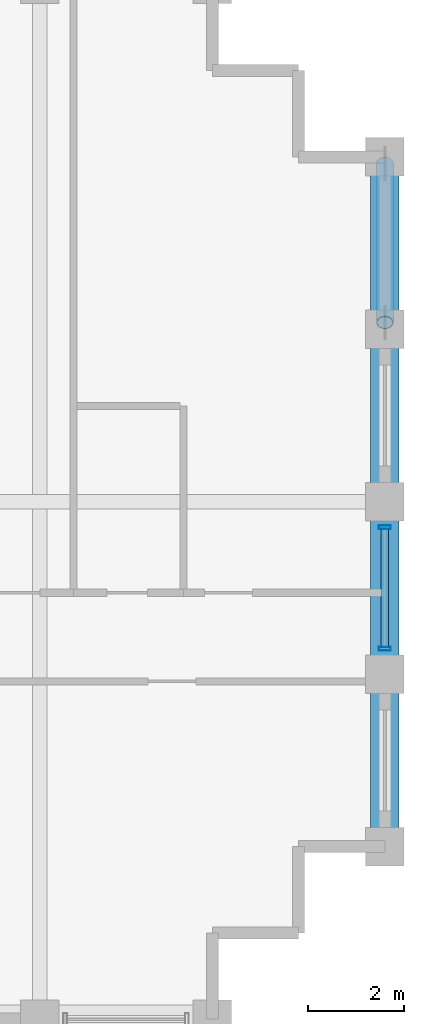
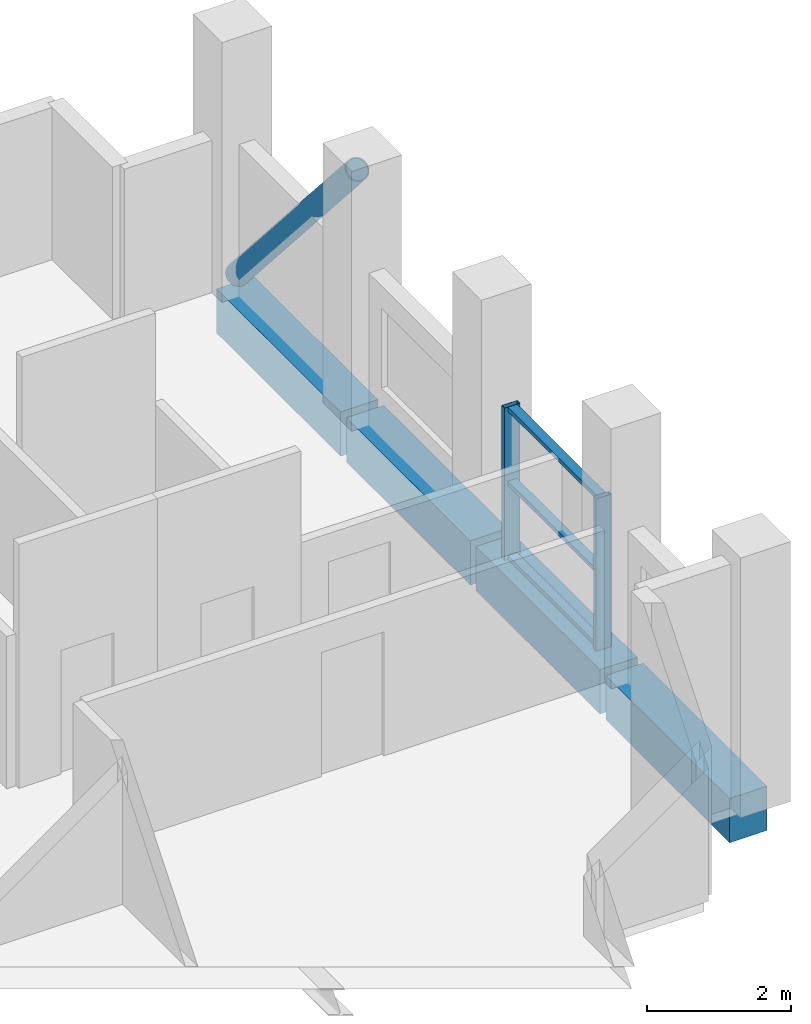
# One storey, part 8 of 14: 6 members, 4 beams, 1 element without a shape of its own.
"""IFC4 building model written with IfcOpenShell, lengths in metres."""

from ifc_helpers import new_model, si_unit, direction, frame, origin, origin_2d, place, context, subcontext, project, spatial, rectangle, hollow_rectangle, hollow_circle, extrude, material, layer, layer_set, material_profile, profile_set, type_object, element, aggregate, save


model = new_model("IFC4")

# Units and contexts
model_context = context("Model", 3, precision=1e-05, world=origin(), true_north=direction((0.0, 1.0)))
body_context = subcontext(model_context, "Body", "Model", "MODEL_VIEW")
ifc_project = project(units=[si_unit("LENGTHUNIT", "METRE"), si_unit("AREAUNIT", "SQUARE_METRE"), si_unit("VOLUMEUNIT", "CUBIC_METRE"), si_unit("PLANEANGLEUNIT", "RADIAN"), si_unit("MASSUNIT", "GRAM", prefix="KILO")], contexts=[model_context])

# Site, building, storey
site_placement = place(None, origin())
site = spatial("IfcSite", under=ifc_project, at=site_placement, CompositionType="ELEMENT")
building_placement = place(site_placement, origin())
building = spatial("IfcBuilding", under=site, at=building_placement, Name="Solnavia Interchange Tower", CompositionType="ELEMENT")
storey_placement = place(building_placement, frame((0.0, 0.0, 299.800048828125)))
storey = spatial("IfcBuildingStorey", under=building, at=storey_placement, Name="L76", CompositionType="ELEMENT", Elevation=299.800048828125)

# Beams
ifc_material_1 = material(Name="Concrete C50/60", Category="concrete")
ifc_material_profile_1 = material_profile(ifc_material_1, rectangle(XDim=0.60009765625, YDim=0.75, at=origin_2d()), Name="RC 600x750")
ifc_profile_set_1 = profile_set([ifc_material_profile_1], Name="Concrete C50/60")
beam_type = type_object("IfcBeamType", Name="Beam-Spandrel-RC600x750", PredefinedType="SPANDREL", material=ifc_profile_set_1)
beam_1_placement = place(storey_placement, frame((43.199951171875, 7.280029296875, -0.375), z_axis=(0.0, 1.0, 0.0), x_axis=(-1.0, 0.0, 0.0)))
element("IfcBeam", 1, at=beam_1_placement, inside=storey, type_object=beam_type, Name="SPB-L76-13 Framed-tube perimeter spandrel beam", PredefinedType="SPANDREL", context=body_context, shape_type="SweptSolid", body=[
    extrude(rectangle(XDim=0.60009765625, YDim=0.75, at=origin_2d()), origin(), (0.0, 0.0, 1.0), 3.43994140625),
])
beam_2_placement = place(storey_placement, frame((43.199951171875, 10.8798828125, -0.375), z_axis=(0.0, 1.0, 0.0), x_axis=(-1.0, 0.0, 0.0)))
element("IfcBeam", 2, at=beam_2_placement, inside=storey, type_object=beam_type, Name="SPB-L76-14 Framed-tube perimeter spandrel beam", PredefinedType="SPANDREL", context=body_context, shape_type="SweptSolid", body=[
    extrude(rectangle(XDim=0.60009765625, YDim=0.75, at=origin_2d()), origin(), (0.0, 0.0, 1.0), 3.440185546875),
])
for number, where, z_axis, x_axis, name in (
    (3, (43.199951171875, 14.47998046875, -0.375), (0.0, 1.0, 0.0), (-1.0, 0.0, 0.0), "SPB-L76-15 Framed-tube perimeter spandrel beam"),
    (4, (43.199951171875, 18.080078125, -0.375), (0.0, 1.0, 0.0), (-1.0, 0.0, 0.0), "SPB-L76-16 Framed-tube perimeter spandrel beam"),
):
    element("IfcBeam", number, at=place(storey_placement, frame(where, z_axis=z_axis, x_axis=x_axis)), inside=storey, type_object=beam_type, Name=name, PredefinedType="SPANDREL", context=body_context, shape_type="SweptSolid", body=[
        extrude(rectangle(XDim=0.60009765625, YDim=0.75, at=origin_2d()), origin(), (0.0, 0.0, 1.0), 3.43994140625),
    ])

# Member
ifc_material_2 = material(Name="Steel S460", Category="steel")
ifc_material_profile_2 = material_profile(ifc_material_2, hollow_circle(Radius=0.177734375, WallThickness=0.01611328125, at=origin_2d()), Name="CHS 355.6x16")
ifc_profile_set_2 = profile_set([ifc_material_profile_2], Name="Steel S460")
member_type_1 = type_object("IfcMemberType", Name="Brace-Perim-CHS355", PredefinedType="BRACE", material=ifc_profile_set_2)
member_1_placement = place(storey_placement, frame((43.199951171875, 21.4599609375, 0.179931640625), z_axis=(0.0, -0.658929871305, 0.75220437695), x_axis=(1.0, 0.0, 0.0)))
element("IfcMember", 5, at=member_1_placement, inside=storey, type_object=member_type_1, Name="BRC-L76-02 Perimeter tube diagonal brace", PredefinedType="BRACE", context=body_context, shape_type="SweptSolid", body=[
    extrude(hollow_circle(Radius=0.177734375, WallThickness=0.01611328125, at=origin_2d()), origin(), (0.0, 0.0, 1.0), 5.03857421875),
])

# Curtain wall, members
ifc_material_3 = material(Name="Aluminium Alloy 6063-T6", Category="aluminium")
ifc_layer = layer(ifc_material_3, 0.27001953125)
ifc_layer_set = layer_set([ifc_layer], Name="Aluminium Alloy 6063-T6")
curtain_wall_type = type_object("IfcCurtainWallType", Name="CurtainWall-SkyLobby-CTW4", PredefinedType="NOTDEFINED", material=ifc_layer_set)
curtain_wall_placement = place(storey_placement, origin())
curtain_wall = element("IfcCurtainWall", 6, at=curtain_wall_placement, inside=storey, type_object=curtain_wall_type, Name="CTW-L76-S10 CTW-4 curtain wall", PredefinedType="NOTDEFINED")
ifc_material_profile_3 = material_profile(ifc_material_3, hollow_rectangle(XDim=0.080078125, YDim=0.25, WallThickness=0.006103515625, at=origin_2d()), Name="ALU 250x80x6")
ifc_profile_set_3 = profile_set([ifc_material_profile_3], Name="Aluminium Alloy 6063-T6")
member_type_2 = type_object("IfcMemberType", Name="CW-Mullion-CWM-4", PredefinedType="MULLION", material=ifc_profile_set_3)
member_2_placement = place(storey_placement, frame((43.199951171875, 11.330078125, 0.0), z_axis=(0.0, 0.0, 1.0), x_axis=(0.0, 1.0, 0.0)))
member_2 = element("IfcMember", 7, at=member_2_placement, type_object=member_type_2, Name="CTW-4 mullion 1", PredefinedType="MULLION", context=body_context, shape_type="SweptSolid", body=[
    extrude(hollow_rectangle(XDim=0.080078125, YDim=0.25, WallThickness=0.006103515625, at=origin_2d()), origin(), (0.0, 0.0, 1.0), 2.579833984375),
])
member_3_placement = place(storey_placement, frame((43.199951171875, 13.8701171875, 0.0), z_axis=(0.0, 0.0, 1.0), x_axis=(0.0, 1.0, 0.0)))
member_3 = element("IfcMember", 8, at=member_3_placement, type_object=member_type_2, Name="CTW-4 mullion 2", PredefinedType="MULLION", context=body_context, shape_type="SweptSolid", body=[
    extrude(hollow_rectangle(XDim=0.080078125, YDim=0.25, WallThickness=0.006103515625, at=origin_2d()), origin(), (0.0, 0.0, 1.0), 2.579833984375),
])
ifc_material_profile_4 = material_profile(ifc_material_3, hollow_rectangle(XDim=0.070068359375, YDim=0.14990234375, WallThickness=0.00439453125, at=origin_2d()), Name="ALU 150x70x4.5")
ifc_profile_set_4 = profile_set([ifc_material_profile_4], Name="Aluminium Alloy 6063-T6")
member_type_3 = type_object("IfcMemberType", Name="CW-Transom-CWT-4", PredefinedType="USERDEFINED", material=ifc_profile_set_4)
member_4_placement = place(storey_placement, frame((43.199951171875, 11.3701171875, 0.034912109375), z_axis=(0.0, 1.0, 0.0), x_axis=(0.0, 0.0, 1.0)))
member_4 = element("IfcMember", 9, at=member_4_placement, type_object=member_type_3, Name="CTW-4 transom 1.1", ObjectType="TRANSOM", PredefinedType="USERDEFINED", context=body_context, shape_type="SweptSolid", body=[
    extrude(hollow_rectangle(XDim=0.070068359375, YDim=0.14990234375, WallThickness=0.00439453125, at=origin_2d()), origin(), (0.0, 0.0, 1.0), 2.4599609375),
])
member_5_placement = place(storey_placement, frame((43.199951171875, 11.3701171875, 1.2900390625), z_axis=(0.0, 1.0, 0.0), x_axis=(0.0, 0.0, 1.0)))
member_5 = element("IfcMember", 10, at=member_5_placement, type_object=member_type_3, Name="CTW-4 transom 1.2", ObjectType="TRANSOM", PredefinedType="USERDEFINED", context=body_context, shape_type="SweptSolid", body=[
    extrude(hollow_rectangle(XDim=0.070068359375, YDim=0.14990234375, WallThickness=0.00439453125, at=origin_2d()), origin(), (0.0, 0.0, 1.0), 2.4599609375),
])
member_6_placement = place(storey_placement, frame((43.199951171875, 11.3701171875, 2.544921875), z_axis=(0.0, 1.0, 0.0), x_axis=(0.0, 0.0, 1.0)))
member_6 = element("IfcMember", 11, at=member_6_placement, type_object=member_type_3, Name="CTW-4 transom 1.3", ObjectType="TRANSOM", PredefinedType="USERDEFINED", context=body_context, shape_type="SweptSolid", body=[
    extrude(hollow_rectangle(XDim=0.070068359375, YDim=0.14990234375, WallThickness=0.00439453125, at=origin_2d()), origin(), (0.0, 0.0, 1.0), 2.4599609375),
])
aggregate(curtain_wall, [member_2, member_3, member_4, member_5, member_6])

save(model, "model.ifc")
